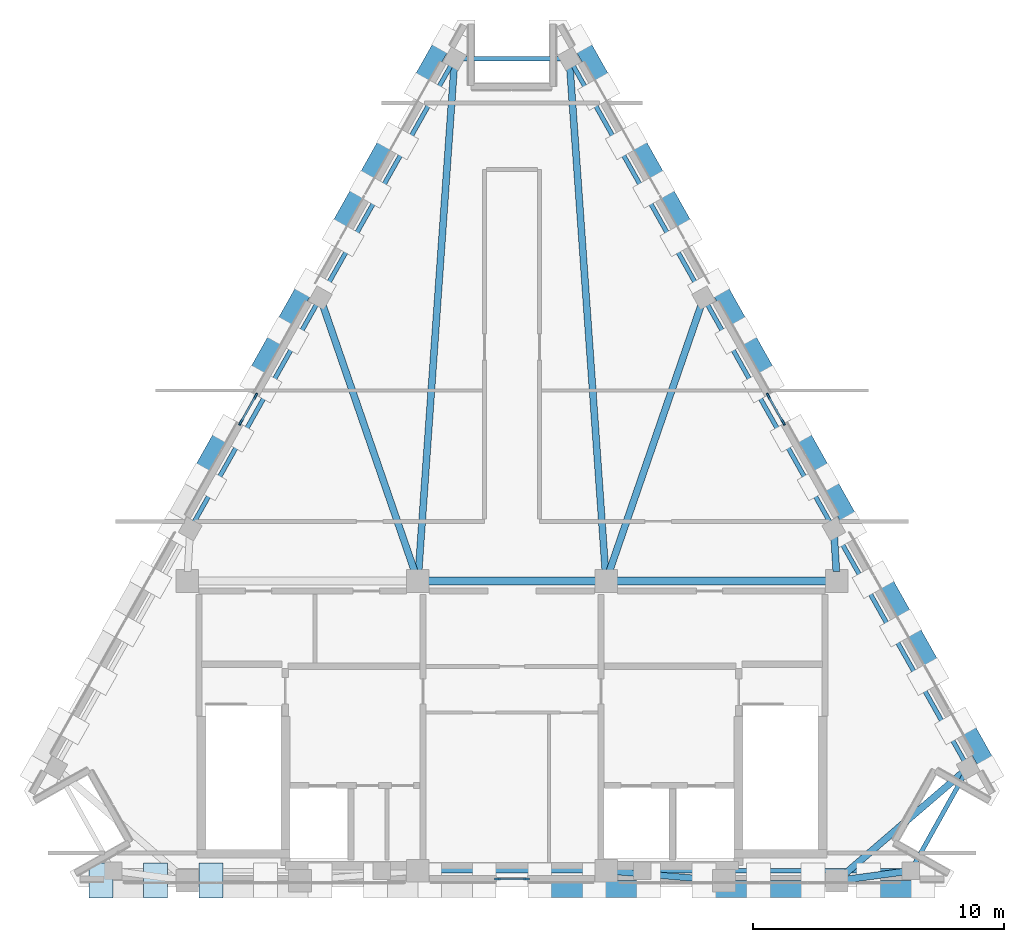
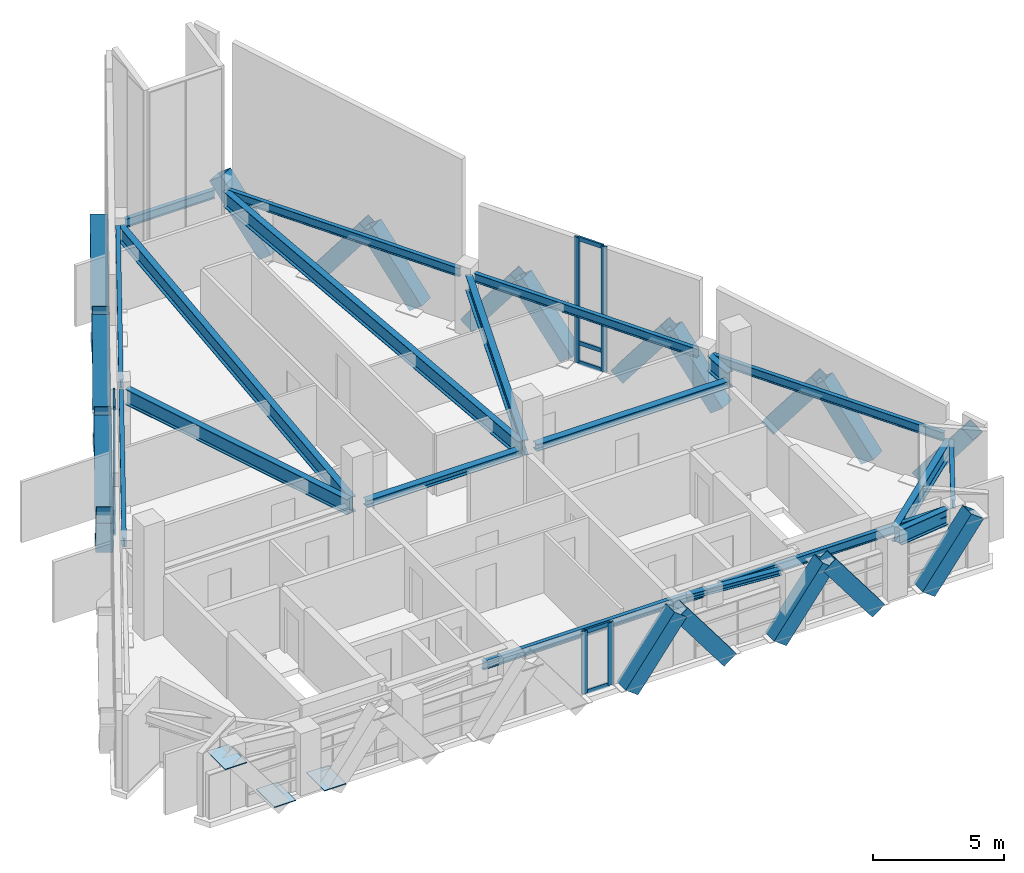
# One storey, part 2 of 7: 35 members, 19 beams, 3 plates, 3 elements without a shape of their own.
"""IFC4 building model written with IfcOpenShell, lengths in metres."""

from ifc_helpers import new_model, si_unit, direction, frame, origin, origin_2d, place, context, subcontext, project, spatial, rectangle, hollow_rectangle, i_section, extrude, material, layer, layer_set, material_profile, profile_set, type_object, element, aggregate, save


model = new_model("IFC4")

# Units and contexts
model_context = context("Model", 3, precision=1e-05, world=origin(), true_north=direction((0.0, 1.0)))
body_context = subcontext(model_context, "Body", "Model", "MODEL_VIEW")
ifc_project = project(units=[si_unit("LENGTHUNIT", "METRE"), si_unit("AREAUNIT", "SQUARE_METRE"), si_unit("VOLUMEUNIT", "CUBIC_METRE"), si_unit("PLANEANGLEUNIT", "RADIAN"), si_unit("MASSUNIT", "GRAM", prefix="KILO")], contexts=[model_context])

# Site, building, storey
site_placement = place(None, origin())
site = spatial("IfcSite", under=ifc_project, at=site_placement, CompositionType="ELEMENT")
building_placement = place(site_placement, origin())
building = spatial("IfcBuilding", under=site, at=building_placement, Name="Quenlor Broadcast Tower", CompositionType="ELEMENT")
storey_placement = place(building_placement, frame((0.0, 0.0, 286.89990234375)))
storey = spatial("IfcBuildingStorey", under=building, at=storey_placement, Name="L80", CompositionType="ELEMENT", Elevation=286.89990234375)

# Curtain wall, members
ifc_material_1 = material(Name="Architectural Terracotta and Low-E Glazing", Category="masonry")
curtain_wall_type = type_object("IfcCurtainWallType", Name="Station Concourse and Crown Terracotta Curtain Wall", PredefinedType="NOTDEFINED", material=ifc_material_1)
curtain_wall_1_placement = place(storey_placement, origin())
curtain_wall_1 = element("IfcCurtainWall", 1, at=curtain_wall_1_placement, inside=storey, type_object=curtain_wall_type, Name="L80 Curtain Wall CW6 (L80-S-G1)", PredefinedType="NOTDEFINED")
ifc_material_2 = material(Name="Aluminium 6063-T6", Category="aluminium")
ifc_material_profile_1 = material_profile(ifc_material_2, rectangle(XDim=0.08203125, YDim=0.239990234375, at=origin_2d()))
ifc_profile_set_1 = profile_set([ifc_material_profile_1], Name="Aluminium 6063-T6 MULL82x240")
member_type_1 = type_object("IfcMemberType", Name="CW6 Aluminium Mullion MULL_CW6", PredefinedType="MULLION", material=ifc_profile_set_1)
member_1_placement = place(storey_placement, frame((0.581787109375, -16.675048828125, 0.0), z_axis=(0.0, 0.0, 1.0), x_axis=(0.0, -1.0, 0.0)))
member_1 = element("IfcMember", 2, at=member_1_placement, type_object=member_type_1, Name="CW6 mullion 1", PredefinedType="MULLION", context=body_context, shape_type="SweptSolid", body=[
    extrude(rectangle(XDim=0.08203125, YDim=0.239990234375, at=origin_2d()), origin(), (0.0, 0.0, 1.0), 2.916259765625),
])
member_2_placement = place(storey_placement, frame((-0.581787109375, -16.675048828125, 0.0), z_axis=(0.0, 0.0, 1.0), x_axis=(0.0, -1.0, 0.0)))
member_2 = element("IfcMember", 3, at=member_2_placement, type_object=member_type_1, Name="CW6 mullion 2", PredefinedType="MULLION", context=body_context, shape_type="SweptSolid", body=[
    extrude(rectangle(XDim=0.08203125, YDim=0.239990234375, at=origin_2d()), origin(), (0.0, 0.0, 1.0), 2.916259765625),
])

curtain_wall_2_placement = place(storey_placement, origin())
curtain_wall_2 = element("IfcCurtainWall", 4, at=curtain_wall_2_placement, inside=storey, type_object=curtain_wall_type, Name="L80 Curtain Wall CW6 (L80-NE-G1)", PredefinedType="NOTDEFINED")
member_3_placement = place(storey_placement, frame((10.21923828125, 2.5693359375, 0.0), z_axis=(0.0, 0.0, 1.0), x_axis=(0.871559040485, 0.490290565837, 0.0)))
member_3 = element("IfcMember", 5, at=member_3_placement, type_object=member_type_1, Name="CW6 mullion 1", PredefinedType="MULLION", context=body_context, shape_type="SweptSolid", body=[
    extrude(rectangle(XDim=0.08203125, YDim=0.239990234375, at=origin_2d()), origin(), (0.0, 0.0, 1.0), 5.85205078125),
])
member_4_placement = place(storey_placement, frame((10.814208984375, 1.511962890625, 0.0), z_axis=(0.0, 0.0, 1.0), x_axis=(0.871559040485, 0.490290565837, 0.0)))
member_4 = element("IfcMember", 6, at=member_4_placement, type_object=member_type_1, Name="CW6 mullion 2", PredefinedType="MULLION", context=body_context, shape_type="SweptSolid", body=[
    extrude(rectangle(XDim=0.08203125, YDim=0.239990234375, at=origin_2d()), origin(), (0.0, 0.0, 1.0), 5.85205078125),
])

curtain_wall_3_placement = place(storey_placement, origin())
curtain_wall_3 = element("IfcCurtainWall", 7, at=curtain_wall_3_placement, inside=storey, type_object=curtain_wall_type, Name="L80 Curtain Wall CW6 (L80-NW-G1)", PredefinedType="NOTDEFINED")
member_5_placement = place(storey_placement, frame((-10.814208984375, 1.511962890625, 0.0), z_axis=(0.0, 0.0, 1.0), x_axis=(-0.871559040485, 0.490290565837, 0.0)))
member_5 = element("IfcMember", 8, at=member_5_placement, type_object=member_type_1, Name="CW6 mullion 1", PredefinedType="MULLION", context=body_context, shape_type="SweptSolid", body=[
    extrude(rectangle(XDim=0.08203125, YDim=0.239990234375, at=origin_2d()), origin(), (0.0, 0.0, 1.0), 5.85205078125),
])
member_6_placement = place(storey_placement, frame((-10.21923828125, 2.5693359375, 0.0), z_axis=(0.0, 0.0, 1.0), x_axis=(-0.871559040485, 0.490290565837, 0.0)))
member_6 = element("IfcMember", 9, at=member_6_placement, type_object=member_type_1, Name="CW6 mullion 2", PredefinedType="MULLION", context=body_context, shape_type="SweptSolid", body=[
    extrude(rectangle(XDim=0.08203125, YDim=0.239990234375, at=origin_2d()), origin(), (0.0, 0.0, 1.0), 5.85205078125),
])

# Member
ifc_material_3 = material(Name="Aluminium 6063-T6", Category="aluminium")
ifc_material_profile_2 = material_profile(ifc_material_3, rectangle(XDim=0.08203125, YDim=0.195068359375, at=origin_2d()))
ifc_profile_set_2 = profile_set([ifc_material_profile_2], Name="Aluminium 6063-T6 TRAN82x195")
member_type_2 = type_object("IfcMemberType", Name="CW6 Aluminium Transom TRAN_CW6", PredefinedType="USERDEFINED", material=ifc_profile_set_2)
member_7_placement = place(storey_placement, frame((0.540771484375, -16.675048828125, 0.041015625), z_axis=(-1.0, 0.0, 0.0), x_axis=(0.0, -1.0, 0.0)))
member_7 = element("IfcMember", 10, at=member_7_placement, type_object=member_type_2, Name="CW6 transom 1.1", ObjectType="TRANSOM", PredefinedType="USERDEFINED", context=body_context, shape_type="SweptSolid", body=[
    extrude(rectangle(XDim=0.08203125, YDim=0.195068359375, at=origin_2d()), origin(), (0.0, 0.0, 1.0), 1.08154296875),
])

member_8_placement = place(storey_placement, frame((0.540771484375, -16.675048828125, 2.875244140625), z_axis=(-1.0, 0.0, 0.0), x_axis=(0.0, -1.0, 0.0)))
member_8 = element("IfcMember", 11, at=member_8_placement, type_object=member_type_2, Name="CW6 transom 1.2", ObjectType="TRANSOM", PredefinedType="USERDEFINED", context=body_context, shape_type="SweptSolid", body=[
    extrude(rectangle(XDim=0.08203125, YDim=0.195068359375, at=origin_2d()), origin(), (0.0, 0.0, 1.0), 1.08154296875),
])

aggregate(curtain_wall_1, [member_1, member_2, member_7, member_8])

member_9_placement = place(storey_placement, frame((10.239501953125, 2.53369140625, 0.041015625), z_axis=(0.490199749433, -0.871610122506, 0.0), x_axis=(0.871610122506, 0.490199749433, 0.0)))
member_9 = element("IfcMember", 12, at=member_9_placement, type_object=member_type_2, Name="CW6 transom 1.1", ObjectType="TRANSOM", PredefinedType="USERDEFINED", context=body_context, shape_type="SweptSolid", body=[
    extrude(rectangle(XDim=0.08203125, YDim=0.195068359375, at=origin_2d()), origin(), (0.0, 0.0, 1.0), 1.131103515625),
])

member_10_placement = place(storey_placement, frame((10.239501953125, 2.53369140625, 0.9501953125), z_axis=(0.490199749433, -0.871610122506, 0.0), x_axis=(0.871610122506, 0.490199749433, 0.0)))
member_10 = element("IfcMember", 13, at=member_10_placement, type_object=member_type_2, Name="CW6 transom 1.2", ObjectType="TRANSOM", PredefinedType="USERDEFINED", context=body_context, shape_type="SweptSolid", body=[
    extrude(rectangle(XDim=0.08203125, YDim=0.195068359375, at=origin_2d()), origin(), (0.0, 0.0, 1.0), 1.131103515625),
])

member_11_placement = place(storey_placement, frame((10.239501953125, 2.53369140625, 5.81103515625), z_axis=(0.490199749433, -0.871610122506, 0.0), x_axis=(0.871610122506, 0.490199749433, 0.0)))
member_11 = element("IfcMember", 14, at=member_11_placement, type_object=member_type_2, Name="CW6 transom 1.3", ObjectType="TRANSOM", PredefinedType="USERDEFINED", context=body_context, shape_type="SweptSolid", body=[
    extrude(rectangle(XDim=0.08203125, YDim=0.195068359375, at=origin_2d()), origin(), (0.0, 0.0, 1.0), 1.131103515625),
])

aggregate(curtain_wall_2, [member_3, member_4, member_9, member_10, member_11])

member_12_placement = place(storey_placement, frame((-10.7939453125, 1.5478515625, 0.041015625), z_axis=(0.490199749433, 0.871610122506, 0.0), x_axis=(-0.871610122506, 0.490199749433, 0.0)))
member_12 = element("IfcMember", 15, at=member_12_placement, type_object=member_type_2, Name="CW6 transom 1.1", ObjectType="TRANSOM", PredefinedType="USERDEFINED", context=body_context, shape_type="SweptSolid", body=[
    extrude(rectangle(XDim=0.08203125, YDim=0.195068359375, at=origin_2d()), origin(), (0.0, 0.0, 1.0), 1.131103515625),
])

member_13_placement = place(storey_placement, frame((-10.7939453125, 1.5478515625, 0.9501953125), z_axis=(0.490199749433, 0.871610122506, 0.0), x_axis=(-0.871610122506, 0.490199749433, 0.0)))
member_13 = element("IfcMember", 16, at=member_13_placement, type_object=member_type_2, Name="CW6 transom 1.2", ObjectType="TRANSOM", PredefinedType="USERDEFINED", context=body_context, shape_type="SweptSolid", body=[
    extrude(rectangle(XDim=0.08203125, YDim=0.195068359375, at=origin_2d()), origin(), (0.0, 0.0, 1.0), 1.131103515625),
])

member_14_placement = place(storey_placement, frame((-10.7939453125, 1.5478515625, 5.81103515625), z_axis=(0.490199749433, 0.871610122506, 0.0), x_axis=(-0.871610122506, 0.490199749433, 0.0)))
member_14 = element("IfcMember", 17, at=member_14_placement, type_object=member_type_2, Name="CW6 transom 1.3", ObjectType="TRANSOM", PredefinedType="USERDEFINED", context=body_context, shape_type="SweptSolid", body=[
    extrude(rectangle(XDim=0.08203125, YDim=0.195068359375, at=origin_2d()), origin(), (0.0, 0.0, 1.0), 1.131103515625),
])

aggregate(curtain_wall_3, [member_5, member_6, member_12, member_13, member_14])

# Beams
ifc_material_4 = material(Name="Steel S355", Category="steel")
ifc_material_profile_3 = material_profile(ifc_material_4, i_section(OverallWidth=0.304931640625, OverallDepth=0.30810546875, WebThickness=0.010009765625, FlangeThickness=0.015380859375, FilletRadius=0.0166015625, at=origin_2d()))
ifc_profile_set_3 = profile_set([ifc_material_profile_3], Name="Steel S355 310UC96.8")
beam_type_1 = type_object("IfcBeamType", Name="Core Header Beam Steel S355 310UC96.8", PredefinedType="BEAM", material=ifc_profile_set_3)
beam_1_placement = place(storey_placement, frame((-3.389892578125, -4.800048828125, 2.67919921875), z_axis=(1.0, 0.0, 0.0), x_axis=(0.0, 1.0, 0.0)))
element("IfcBeam", 18, at=beam_1_placement, inside=storey, type_object=beam_type_1, Name="L80 Core Header Beam 2", PredefinedType="BEAM", context=body_context, shape_type="SweptSolid", body=[
    extrude(i_section(OverallWidth=0.304931640625, OverallDepth=0.30810546875, WebThickness=0.010009765625, FlangeThickness=0.015380859375, FilletRadius=0.0166015625, at=origin_2d()), origin(), (0.0, 0.0, 1.0), 6.77978515625),
])
ifc_material_5 = material(Name="Steel S355", Category="steel")
ifc_material_profile_4 = material_profile(ifc_material_5, i_section(OverallWidth=0.25390625, OverallDepth=0.25390625, WebThickness=0.008544921875, FlangeThickness=0.01416015625, FilletRadius=0.013916015625, at=origin_2d()))
ifc_profile_set_4 = profile_set([ifc_material_profile_4], Name="Steel S355 250UC72.9")
beam_type_2 = type_object("IfcBeamType", Name="Core Opening Lintel Beam Steel S355 250UC72.9", PredefinedType="LINTEL", material=ifc_profile_set_4)
beam_2_placement = place(storey_placement, frame((4.108642578125, -16.380615234375, 2.706298828125), z_axis=(0.996399763903, -0.084779186679, 0.0), x_axis=(0.084779186679, 0.996399763903, 0.0)))
element("IfcBeam", 19, at=beam_2_placement, inside=storey, type_object=beam_type_2, Name="L80 Core Opening Lintel Beam 5", PredefinedType="LINTEL", context=body_context, shape_type="SweptSolid", body=[
    extrude(i_section(OverallWidth=0.25390625, OverallDepth=0.25390625, WebThickness=0.008544921875, FlangeThickness=0.01416015625, FilletRadius=0.013916015625, at=origin_2d()), origin(), (0.0, 0.0, 1.0), 3.9970703125),
])
ifc_material_6 = material(Name="Steel S355", Category="steel")
ifc_material_profile_5 = material_profile(ifc_material_6, i_section(OverallWidth=0.306884765625, OverallDepth=0.314697265625, WebThickness=0.011962890625, FlangeThickness=0.018798828125, FilletRadius=0.0166015625, at=origin_2d()))
ifc_profile_set_5 = profile_set([ifc_material_profile_5], Name="Steel S355 310UC118")
beam_type_3 = type_object("IfcBeamType", Name="Core Tie Beam Steel S355 310UC118", PredefinedType="BEAM", material=ifc_profile_set_5)
beam_3_placement = place(storey_placement, frame((4.110107421875, -4.800048828125, 2.67578125), z_axis=(1.0, 0.0, 0.0), x_axis=(0.0, 1.0, 0.0)))
element("IfcBeam", 20, at=beam_3_placement, inside=storey, type_object=beam_type_3, Name="L80 Core Tie Beam 3", PredefinedType="BEAM", context=body_context, shape_type="SweptSolid", body=[
    extrude(i_section(OverallWidth=0.306884765625, OverallDepth=0.314697265625, WebThickness=0.011962890625, FlangeThickness=0.018798828125, FilletRadius=0.0166015625, at=origin_2d()), origin(), (0.0, 0.0, 1.0), 8.47998046875),
])
ifc_material_7 = material(Name="Steel S355", Category="steel")
ifc_material_profile_6 = material_profile(ifc_material_7, i_section(OverallWidth=0.27490234375, OverallDepth=0.716064453125, WebThickness=0.013916015625, FlangeThickness=0.02490234375, FilletRadius=0.013916015625, at=origin_2d()))
ifc_profile_set_6 = profile_set([ifc_material_profile_6], Name="Steel S355 700WB173")
beam_type_4 = type_object("IfcBeamType", Name="Crown Plant Ring Girder Steel S355 700WB173", PredefinedType="BEAM", material=ifc_profile_set_6)
beam_4_placement = place(storey_placement, frame((15.59033203125, -16.3916015625, 2.47509765625), z_axis=(-0.990908681621, -0.134536183561, 0.0), x_axis=(0.134536183561, -0.990908681621, 0.0)))
element("IfcBeam", 21, at=beam_4_placement, inside=storey, type_object=beam_type_4, Name="L80 Primary Radial Beam S4", PredefinedType="BEAM", context=body_context, shape_type="SweptSolid", body=[
    extrude(i_section(OverallWidth=0.27490234375, OverallDepth=0.716064453125, WebThickness=0.013916015625, FlangeThickness=0.02490234375, FilletRadius=0.013916015625, at=origin_2d()), origin(), (0.0, 0.0, 1.0), 2.28466796875),
])
beam_5_placement = place(storey_placement, frame((17.947265625, -12.451904296875, 2.47509765625), z_axis=(-0.758156826123, -0.652072255968, 0.0), x_axis=(0.652072255968, -0.758156826123, 0.0)))
element("IfcBeam", 22, at=beam_5_placement, inside=storey, type_object=beam_type_4, Name="L80 Primary Radial Beam NE1", PredefinedType="BEAM", context=body_context, shape_type="SweptSolid", body=[
    extrude(i_section(OverallWidth=0.27490234375, OverallDepth=0.716064453125, WebThickness=0.013916015625, FlangeThickness=0.02490234375, FilletRadius=0.013916015625, at=origin_2d()), origin(), (0.0, 0.0, 1.0), 6.21142578125),
])
beam_6_placement = place(storey_placement, frame((12.843994140625, -3.0361328125, 2.47509765625), z_axis=(0.060022076178, -0.998197049871, 0.0), x_axis=(0.998197049871, 0.060022076178, 0.0)))
element("IfcBeam", 23, at=beam_6_placement, inside=storey, type_object=beam_type_4, Name="L80 Primary Radial Beam NE2", PredefinedType="BEAM", context=body_context, shape_type="SweptSolid", body=[
    extrude(i_section(OverallWidth=0.27490234375, OverallDepth=0.716064453125, WebThickness=0.013916015625, FlangeThickness=0.02490234375, FilletRadius=0.013916015625, at=origin_2d()), origin(), (0.0, 0.0, 1.0), 1.386962890625),
])
beam_7_placement = place(storey_placement, frame((7.54052734375, 6.1962890625, 2.47509765625), z_axis=(-0.325897728726, -0.945405029821, 0.0), x_axis=(0.945405029821, -0.325897728726, 0.0)))
element("IfcBeam", 24, at=beam_7_placement, inside=storey, type_object=beam_type_4, Name="L80 Primary Radial Beam NE3", PredefinedType="BEAM", context=body_context, shape_type="SweptSolid", body=[
    extrude(i_section(OverallWidth=0.27490234375, OverallDepth=0.716064453125, WebThickness=0.013916015625, FlangeThickness=0.02490234375, FilletRadius=0.013916015625, at=origin_2d()), origin(), (0.0, 0.0, 1.0), 11.251220703125),
])
for number, where, z_axis, x_axis, name in (
    (25, (2.306396484375, 15.703369140625, 2.47509765625), (0.070238211714, -0.997530246968, 0.0), (0.997530246968, 0.070238211714, 0.0), "L80 Primary Radial Beam NE4"),
    (26, (-2.306396484375, 15.703369140625, 2.47509765625), (-0.070238211714, -0.997530246968, 0.0), (0.997530246968, -0.070238211714, 0.0), "L80 Primary Radial Beam NW1"),
):
    element("IfcBeam", number, at=place(storey_placement, frame(where, z_axis=z_axis, x_axis=x_axis)), inside=storey, type_object=beam_type_4, Name=name, PredefinedType="BEAM", context=body_context, shape_type="SweptSolid", body=[
        extrude(i_section(OverallWidth=0.27490234375, OverallDepth=0.716064453125, WebThickness=0.013916015625, FlangeThickness=0.02490234375, FilletRadius=0.013916015625, at=origin_2d()), origin(), (0.0, 0.0, 1.0), 20.174072265625),
    ])
beam_8_placement = place(storey_placement, frame((-7.54052734375, 6.1962890625, 2.47509765625), z_axis=(0.325897728726, -0.945405029821, 0.0), x_axis=(0.945405029821, 0.325897728726, 0.0)))
element("IfcBeam", 27, at=beam_8_placement, inside=storey, type_object=beam_type_4, Name="L80 Primary Radial Beam NW2", PredefinedType="BEAM", context=body_context, shape_type="SweptSolid", body=[
    extrude(i_section(OverallWidth=0.27490234375, OverallDepth=0.716064453125, WebThickness=0.013916015625, FlangeThickness=0.02490234375, FilletRadius=0.013916015625, at=origin_2d()), origin(), (0.0, 0.0, 1.0), 11.251220703125),
])

# Members
ifc_material_8 = material(Name="Steel S355", Category="steel")
ifc_material_profile_7 = material_profile(ifc_material_8, hollow_rectangle(XDim=0.679931640625, YDim=0.679931640625, WallThickness=0.02001953125, at=origin_2d()))
ifc_profile_set_7 = profile_set([ifc_material_profile_7], Name="Steel S355 RHS680x680x20")
member_type_3 = type_object("IfcMemberType", Name="Perimeter Diagonal Lattice Brace Z5-Crown Steel S355 RHS680x20", PredefinedType="BRACE", material=ifc_profile_set_7)
for number, where, z_axis, x_axis, name in (
    (28, (11.998779296875, -17.070068359375, -0.119873046875), (-0.598828531779, 0.0, 0.800877262461), (0.0, -1.0, 0.0), "L80 Perimeter Diamond Lattice S-C1S"),
    (29, (14.208984375, -17.070068359375, -0.119873046875), (0.598871988203, 0.0, 0.800844767571), (0.0, 1.0, 0.0), "L80 Perimeter Diamond Lattice S-C1B"),
    (30, (5.447021484375, -17.070068359375, -0.119873046875), (-0.598871988203, 0.0, 0.800844767571), (0.0, -1.0, 0.0), "L80 Perimeter Diamond Lattice S-C2S"),
    (31, (7.656982421875, -17.070068359375, -0.119873046875), (0.598871988203, 0.0, 0.800844767571), (0.0, 1.0, 0.0), "L80 Perimeter Diamond Lattice S-C2B"),
    (32, (1.10498046875, -17.070068359375, -0.119873046875), (0.598871988203, 0.0, 0.800844767571), (0.0, 1.0, 0.0), "L80 Perimeter Diamond Lattice S-C3B"),
):
    element("IfcMember", number, at=place(storey_placement, frame(where, z_axis=z_axis, x_axis=x_axis)), inside=storey, type_object=member_type_3, Name=name, PredefinedType="BRACE", context=body_context, shape_type="SweptSolid", body=[
        extrude(hollow_rectangle(XDim=0.679931640625, YDim=0.679931640625, WallThickness=0.02001953125, at=origin_2d()), origin(), (0.0, 0.0, 1.0), 3.603271484375),
    ])
for number, where, z_axis, x_axis, name in (
    (33, (4.85498046875, 12.91162109375, -0.119873046875), (0.297079339305, -0.528029153364, 0.795568400174), (0.871531143255, 0.490340153707, 0.0), "L80 Perimeter Diamond Lattice NE-C1S"),
    (34, (3.748779296875, 14.878173828125, -0.119873046875), (-0.297018126115, 0.528039683972, 0.795584266379), (-0.871578496623, -0.490255978266, 0.0), "L80 Perimeter Diamond Lattice NE-C1B"),
    (35, (8.134521484375, 7.081298828125, -0.119873046875), (0.297018126115, -0.528039683972, 0.795584266379), (0.871578496623, 0.490255978266, 0.0), "L80 Perimeter Diamond Lattice NE-C2S"),
):
    element("IfcMember", number, at=place(storey_placement, frame(where, z_axis=z_axis, x_axis=x_axis)), inside=storey, type_object=member_type_3, Name=name, PredefinedType="BRACE", context=body_context, shape_type="SweptSolid", body=[
        extrude(hollow_rectangle(XDim=0.679931640625, YDim=0.679931640625, WallThickness=0.02001953125, at=origin_2d()), origin(), (0.0, 0.0, 1.0), 3.636474609375),
    ])
member_15_placement = place(storey_placement, frame((7.0283203125, 9.048095703125, -0.119873046875), z_axis=(-0.297028655738, 0.527991263274, 0.795612470727), x_axis=(-0.87155185771, -0.490303333991, 0.0)))
element("IfcMember", 36, at=member_15_placement, inside=storey, type_object=member_type_3, Name="L80 Perimeter Diamond Lattice NE-C2B", PredefinedType="BRACE", context=body_context, shape_type="SweptSolid", body=[
    extrude(hollow_rectangle(XDim=0.679931640625, YDim=0.679931640625, WallThickness=0.02001953125, at=origin_2d()), origin(), (0.0, 0.0, 1.0), 3.63623046875),
])
member_16_placement = place(storey_placement, frame((11.4140625, 1.2509765625, -0.119873046875), z_axis=(0.297018126115, -0.528039683972, 0.795584266379), x_axis=(0.871578496623, 0.490255978266, 0.0)))
element("IfcMember", 37, at=member_16_placement, inside=storey, type_object=member_type_3, Name="L80 Perimeter Diamond Lattice NE-C3S", PredefinedType="BRACE", context=body_context, shape_type="SweptSolid", body=[
    extrude(hollow_rectangle(XDim=0.679931640625, YDim=0.679931640625, WallThickness=0.02001953125, at=origin_2d()), origin(), (0.0, 0.0, 1.0), 3.636474609375),
])
member_17_placement = place(storey_placement, frame((10.307861328125, 3.2177734375, -0.119873046875), z_axis=(-0.297028655738, 0.527991263274, 0.795612470727), x_axis=(-0.87155185771, -0.490303333991, 0.0)))
element("IfcMember", 38, at=member_17_placement, inside=storey, type_object=member_type_3, Name="L80 Perimeter Diamond Lattice NE-C3B", PredefinedType="BRACE", context=body_context, shape_type="SweptSolid", body=[
    extrude(hollow_rectangle(XDim=0.679931640625, YDim=0.679931640625, WallThickness=0.02001953125, at=origin_2d()), origin(), (0.0, 0.0, 1.0), 3.63623046875),
])
for number, where, z_axis, x_axis, name in (
    (39, (14.693603515625, -4.5791015625, -0.119873046875), (0.297018126115, -0.528039683972, 0.795584266379), (0.871578496623, 0.490255978266, 0.0), "L80 Perimeter Diamond Lattice NE-C4S"),
    (40, (13.58740234375, -2.612548828125, -0.119873046875), (-0.297018126115, 0.528039683972, 0.795584266379), (-0.871578496623, -0.490255978266, 0.0), "L80 Perimeter Diamond Lattice NE-C4B"),
    (41, (17.97314453125, -10.409423828125, -0.119873046875), (0.297018126115, -0.528039683972, 0.795584266379), (0.871578496623, 0.490255978266, 0.0), "L80 Perimeter Diamond Lattice NE-C5S"),
):
    element("IfcMember", number, at=place(storey_placement, frame(where, z_axis=z_axis, x_axis=x_axis)), inside=storey, type_object=member_type_3, Name=name, PredefinedType="BRACE", context=body_context, shape_type="SweptSolid", body=[
        extrude(hollow_rectangle(XDim=0.679931640625, YDim=0.679931640625, WallThickness=0.02001953125, at=origin_2d()), origin(), (0.0, 0.0, 1.0), 3.636474609375),
    ])
for number, where, z_axis, x_axis, name in (
    (42, (16.86669921875, -8.442626953125, -0.119873046875), (-0.296967437135, 0.528001791913, 0.795628335983), (-0.871599215793, -0.490219141843, 0.0), "L80 Perimeter Diamond Lattice NE-C5B"),
    (43, (-10.307861328125, 3.2177734375, -0.119873046875), (0.297028655738, 0.527991263274, 0.795612470727), (-0.87155185771, 0.490303333991, 0.0), "L80 Perimeter Diamond Lattice NW-C3S"),
):
    element("IfcMember", number, at=place(storey_placement, frame(where, z_axis=z_axis, x_axis=x_axis)), inside=storey, type_object=member_type_3, Name=name, PredefinedType="BRACE", context=body_context, shape_type="SweptSolid", body=[
        extrude(hollow_rectangle(XDim=0.679931640625, YDim=0.679931640625, WallThickness=0.02001953125, at=origin_2d()), origin(), (0.0, 0.0, 1.0), 3.63623046875),
    ])
member_18_placement = place(storey_placement, frame((-11.4140625, 1.2509765625, -0.119873046875), z_axis=(-0.297018126115, -0.528039683972, 0.795584266379), x_axis=(0.871578496623, -0.490255978266, 0.0)))
element("IfcMember", 44, at=member_18_placement, inside=storey, type_object=member_type_3, Name="L80 Perimeter Diamond Lattice NW-C3B", PredefinedType="BRACE", context=body_context, shape_type="SweptSolid", body=[
    extrude(hollow_rectangle(XDim=0.679931640625, YDim=0.679931640625, WallThickness=0.02001953125, at=origin_2d()), origin(), (0.0, 0.0, 1.0), 3.636474609375),
])
member_19_placement = place(storey_placement, frame((-7.0283203125, 9.048095703125, -0.119873046875), z_axis=(0.297028655738, 0.527991263274, 0.795612470727), x_axis=(-0.87155185771, 0.490303333991, 0.0)))
element("IfcMember", 45, at=member_19_placement, inside=storey, type_object=member_type_3, Name="L80 Perimeter Diamond Lattice NW-C4S", PredefinedType="BRACE", context=body_context, shape_type="SweptSolid", body=[
    extrude(hollow_rectangle(XDim=0.679931640625, YDim=0.679931640625, WallThickness=0.02001953125, at=origin_2d()), origin(), (0.0, 0.0, 1.0), 3.63623046875),
])
for number, where, z_axis, x_axis, name in (
    (46, (-8.134521484375, 7.081298828125, -0.119873046875), (-0.297018126115, -0.528039683972, 0.795584266379), (0.871578496623, -0.490255978266, 0.0), "L80 Perimeter Diamond Lattice NW-C4B"),
    (47, (-3.748779296875, 14.878173828125, -0.119873046875), (0.297018126115, 0.528039683972, 0.795584266379), (-0.871578496623, 0.490255978266, 0.0), "L80 Perimeter Diamond Lattice NW-C5S"),
    (48, (-4.85498046875, 12.91162109375, -0.119873046875), (-0.297079339305, -0.528029153364, 0.795568400174), (0.871531143255, -0.490340153707, 0.0), "L80 Perimeter Diamond Lattice NW-C5B"),
):
    element("IfcMember", number, at=place(storey_placement, frame(where, z_axis=z_axis, x_axis=x_axis)), inside=storey, type_object=member_type_3, Name=name, PredefinedType="BRACE", context=body_context, shape_type="SweptSolid", body=[
        extrude(hollow_rectangle(XDim=0.679931640625, YDim=0.679931640625, WallThickness=0.02001953125, at=origin_2d()), origin(), (0.0, 0.0, 1.0), 3.636474609375),
    ])

# Beams
ifc_material_9 = material(Name="Steel S355", Category="steel")
ifc_material_profile_8 = material_profile(ifc_material_9, i_section(OverallWidth=0.177978515625, OverallDepth=0.406494140625, WebThickness=0.0078125, FlangeThickness=0.0126953125, FilletRadius=0.011474609375, at=origin_2d()))
ifc_profile_set_8 = profile_set([ifc_material_profile_8], Name="Steel S355 410UB59.7")
beam_type_5 = type_object("IfcBeamType", Name="Perimeter Spandrel Beam Z5 Steel S355 410UB59.7", PredefinedType="SPANDREL", material=ifc_profile_set_8)
beam_9_placement = place(storey_placement, frame((-4.8740234375, -16.35009765625, 2.6298828125), z_axis=(1.0, 0.0, 0.0), x_axis=(0.0, 1.0, 0.0)))
element("IfcBeam", 49, at=beam_9_placement, inside=storey, type_object=beam_type_5, Name="L80 Spandrel Beam S2-S3", PredefinedType="SPANDREL", context=body_context, shape_type="SweptSolid", body=[
    extrude(i_section(OverallWidth=0.177978515625, OverallDepth=0.406494140625, WebThickness=0.0078125, FlangeThickness=0.0126953125, FilletRadius=0.011474609375, at=origin_2d()), origin(), (0.0, 0.0, 1.0), 9.748046875),
])
beam_10_placement = place(storey_placement, frame((5.493896484375, -16.35009765625, 2.6298828125), z_axis=(1.0, 0.0, 0.0), x_axis=(0.0, 1.0, 0.0)))
element("IfcBeam", 50, at=beam_10_placement, inside=storey, type_object=beam_type_5, Name="L80 Spandrel Beam S3-S4", PredefinedType="SPANDREL", context=body_context, shape_type="SweptSolid", body=[
    extrude(i_section(OverallWidth=0.177978515625, OverallDepth=0.406494140625, WebThickness=0.0078125, FlangeThickness=0.0126953125, FilletRadius=0.011474609375, at=origin_2d()), origin(), (0.0, 0.0, 1.0), 10.09375),
])
beam_11_placement = place(storey_placement, frame((16.048583984375, -16.0791015625, 2.6298828125), z_axis=(0.486777294572, 0.873526110365, 0.0), x_axis=(-0.873526110365, 0.486777294572, 0.0)))
element("IfcBeam", 51, at=beam_11_placement, inside=storey, type_object=beam_type_5, Name="L80 Spandrel Beam S4-NE1", PredefinedType="SPANDREL", context=body_context, shape_type="SweptSolid", body=[
    extrude(i_section(OverallWidth=0.177978515625, OverallDepth=0.406494140625, WebThickness=0.0078125, FlangeThickness=0.0126953125, FilletRadius=0.011474609375, at=origin_2d()), origin(), (0.0, 0.0, 1.0), 4.073486328125),
])
beam_12_placement = place(storey_placement, frame((18.0302734375, -11.979736328125, 2.6298828125), z_axis=(-0.490249992991, 0.871581863265, 0.0), x_axis=(-0.871581863265, -0.490249992991, 0.0)))
element("IfcBeam", 52, at=beam_12_placement, inside=storey, type_object=beam_type_5, Name="L80 Spandrel Beam NE1-NE2", PredefinedType="SPANDREL", context=body_context, shape_type="SweptSolid", body=[
    extrude(i_section(OverallWidth=0.177978515625, OverallDepth=0.406494140625, WebThickness=0.0078125, FlangeThickness=0.0126953125, FilletRadius=0.011474609375, at=origin_2d()), origin(), (0.0, 0.0, 1.0), 10.306396484375),
])
beam_13_placement = place(storey_placement, frame((12.673583984375, -2.45654296875, 2.6298828125), z_axis=(-0.490271720009, 0.87156964183, 0.0), x_axis=(-0.87156964183, -0.490271720009, 0.0)))
element("IfcBeam", 53, at=beam_13_placement, inside=storey, type_object=beam_type_5, Name="L80 Spandrel Beam NE2-NE3", PredefinedType="SPANDREL", context=body_context, shape_type="SweptSolid", body=[
    extrude(i_section(OverallWidth=0.177978515625, OverallDepth=0.406494140625, WebThickness=0.0078125, FlangeThickness=0.0126953125, FilletRadius=0.011474609375, at=origin_2d()), origin(), (0.0, 0.0, 1.0), 9.953857421875),
])
beam_14_placement = place(storey_placement, frame((7.489501953125, 6.759521484375, 2.6298828125), z_axis=(-0.490260114949, 0.871576169758, 0.0), x_axis=(-0.871576169758, -0.490260114949, 0.0)))
element("IfcBeam", 54, at=beam_14_placement, inside=storey, type_object=beam_type_5, Name="L80 Spandrel Beam NE3-NE4", PredefinedType="SPANDREL", context=body_context, shape_type="SweptSolid", body=[
    extrude(i_section(OverallWidth=0.177978515625, OverallDepth=0.406494140625, WebThickness=0.0078125, FlangeThickness=0.0126953125, FilletRadius=0.011474609375, at=origin_2d()), origin(), (0.0, 0.0, 1.0), 10.30615234375),
])
beam_15_placement = place(storey_placement, frame((1.974609375, 16.012451171875, 2.6298828125), z_axis=(-1.0, 0.0, 0.0), x_axis=(0.0, -1.0, 0.0)))
element("IfcBeam", 55, at=beam_15_placement, inside=storey, type_object=beam_type_5, Name="L80 Spandrel Beam NE4-NW1", PredefinedType="SPANDREL", context=body_context, shape_type="SweptSolid", body=[
    extrude(i_section(OverallWidth=0.177978515625, OverallDepth=0.406494140625, WebThickness=0.0078125, FlangeThickness=0.0126953125, FilletRadius=0.011474609375, at=origin_2d()), origin(), (0.0, 0.0, 1.0), 3.94921875),
])
beam_16_placement = place(storey_placement, frame((-2.436767578125, 15.7421875, 2.6298828125), z_axis=(-0.490260114949, -0.871576169758, 0.0), x_axis=(0.871576169758, -0.490260114949, 0.0)))
element("IfcBeam", 56, at=beam_16_placement, inside=storey, type_object=beam_type_5, Name="L80 Spandrel Beam NW1-NW2", PredefinedType="SPANDREL", context=body_context, shape_type="SweptSolid", body=[
    extrude(i_section(OverallWidth=0.177978515625, OverallDepth=0.406494140625, WebThickness=0.0078125, FlangeThickness=0.0126953125, FilletRadius=0.011474609375, at=origin_2d()), origin(), (0.0, 0.0, 1.0), 10.30615234375),
])
beam_17_placement = place(storey_placement, frame((-7.79345703125, 6.218994140625, 2.6298828125), z_axis=(-0.490271720009, -0.87156964183, 0.0), x_axis=(0.87156964183, -0.490271720009, 0.0)))
element("IfcBeam", 57, at=beam_17_placement, inside=storey, type_object=beam_type_5, Name="L80 Spandrel Beam NW2-NW3", PredefinedType="SPANDREL", context=body_context, shape_type="SweptSolid", body=[
    extrude(i_section(OverallWidth=0.177978515625, OverallDepth=0.406494140625, WebThickness=0.0078125, FlangeThickness=0.0126953125, FilletRadius=0.011474609375, at=origin_2d()), origin(), (0.0, 0.0, 1.0), 9.953857421875),
])

# Plates
ifc_material_10 = material(Name="Steel S355", Category="steel")
ifc_layer = layer(ifc_material_10, 0.035888671875)
ifc_layer_set = layer_set([ifc_layer], Name="Transfer Truss Steel S355 Gusset Node Plate 1400x950x36")
plate_type = type_object("IfcPlateType", Name="Transfer Truss Steel S355 Gusset Node Plate 1400x950x36", PredefinedType="SHEET", material=ifc_layer_set)
for number, where, z_axis, x_axis, name in (
    (58, (-14.208984375, -16.735107421875, 0.0419921875), (0.0, 0.0, 1.0), (0.0, -1.0, 0.0), "L80 Lattice Tie Gusset Node S-B14"),
    (59, (-16.3798828125, -16.735107421875, 2.56787109375), (0.0, 0.0, 1.0), (0.0, -1.0, 0.0), "L80 Lattice Tie Gusset Node S-T15"),
    (60, (-11.998779296875, -16.735107421875, 0.0419921875), (0.0, 0.0, 1.0), (0.0, -1.0, 0.0), "L80 Lattice Tie Gusset Node S-B13"),
):
    element("IfcPlate", number, at=place(storey_placement, frame(where, z_axis=z_axis, x_axis=x_axis)), inside=storey, type_object=plate_type, Name=name, PredefinedType="SHEET", context=body_context, shape_type="SweptSolid", body=[
        extrude(rectangle(XDim=1.39990234375, YDim=0.949951171875, at=origin_2d()), origin(), (0.0, 0.0, 1.0), 0.035888671875),
    ])

save(model, "model.ifc")
